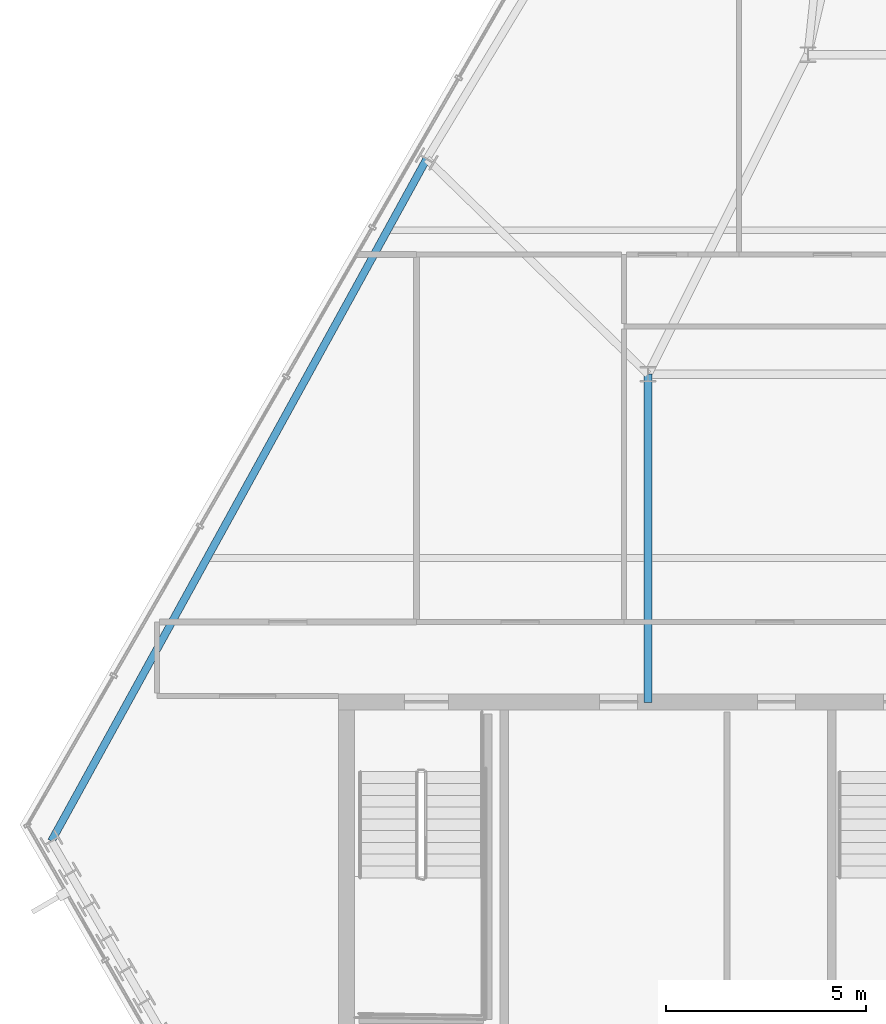
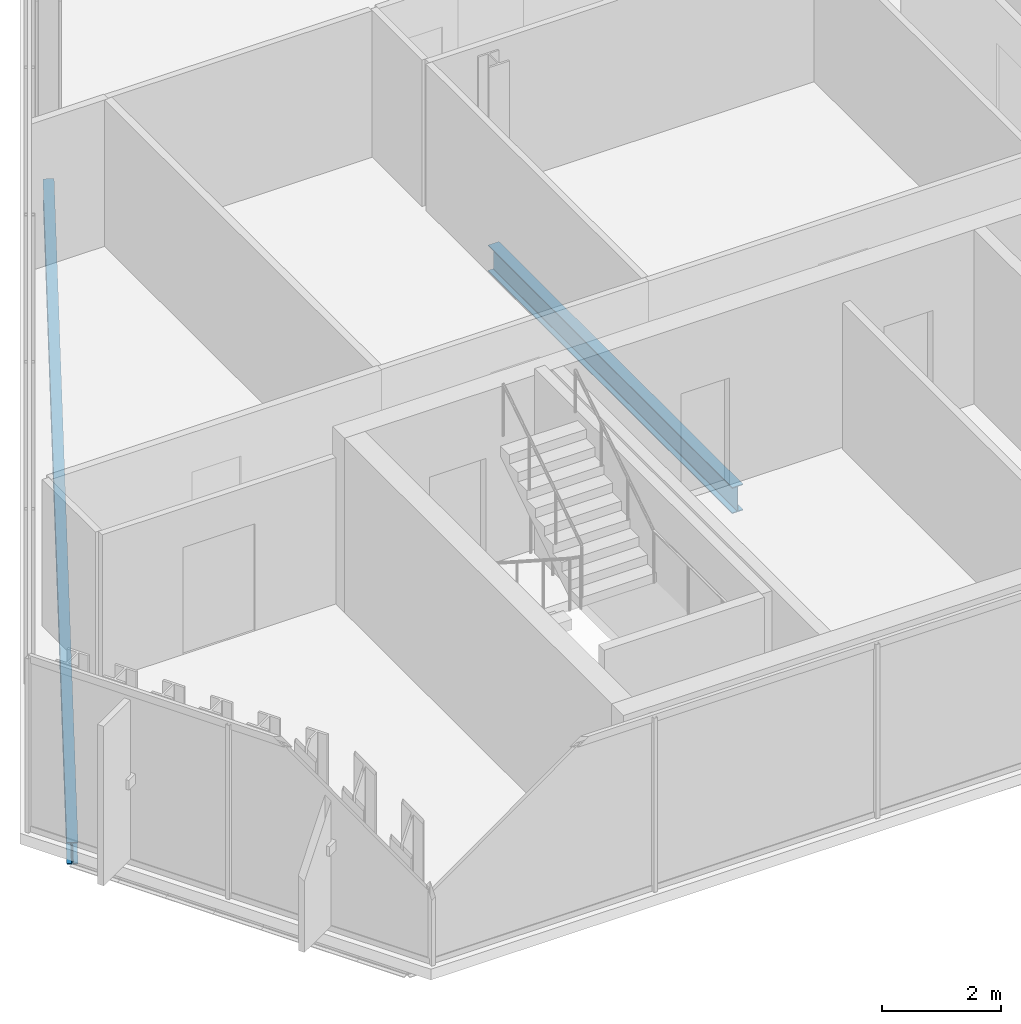
# One storey, part 5 of 30: 2 beams.
"""IFC4 building model written with IfcOpenShell, lengths in metres."""

from ifc_helpers import new_model, si_unit, direction, frame, origin, origin_2d, place, context, subcontext, project, spatial, i_section, extrude, material, material_profile, profile_set, type_object, element, save


model = new_model("IFC4")

# Units and contexts
model_context = context("Model", 3, precision=1e-05, world=origin(), true_north=direction((0.0, 1.0)))
body_context = subcontext(model_context, "Body", "Model", "MODEL_VIEW")
ifc_project = project(units=[si_unit("LENGTHUNIT", "METRE"), si_unit("AREAUNIT", "SQUARE_METRE"), si_unit("VOLUMEUNIT", "CUBIC_METRE"), si_unit("PLANEANGLEUNIT", "RADIAN"), si_unit("MASSUNIT", "GRAM", prefix="KILO")], contexts=[model_context])

# Site, building, storey
site_placement = place(None, origin())
site = spatial("IfcSite", under=ifc_project, at=site_placement, CompositionType="ELEMENT")
building_placement = place(site_placement, origin())
building = spatial("IfcBuilding", under=site, at=building_placement, Name="Ndaravel Arena Tower", CompositionType="ELEMENT")
storey_placement = place(building_placement, frame((0.0, 0.0, 221.800048828125)))
storey = spatial("IfcBuildingStorey", under=building, at=storey_placement, Name="L53", CompositionType="ELEMENT", Elevation=221.800048828125)

# Beams
ifc_material_1 = material(Name="Steel S355", Category="steel")
ifc_material_profile_1 = material_profile(ifc_material_1, i_section(OverallWidth=0.210693359375, OverallDepth=0.53955078125, WebThickness=0.01171875, FlangeThickness=0.018798828125, FilletRadius=0.0126953125, at=origin_2d()), Name="UB 533x210x109")
ifc_profile_set_1 = profile_set([ifc_material_profile_1], Name="Steel S355")
beam_type_1 = type_object("IfcBeamType", Name="BM-GIRD-UB533", PredefinedType="BEAM", material=ifc_profile_set_1)
beam_1_placement = place(storey_placement, frame((34.199951171875, 14.97998046875, -0.48974609375), z_axis=(0.0, 1.0, 0.0), x_axis=(-1.0, 0.0, 0.0)))
element("IfcBeam", 1, at=beam_1_placement, inside=storey, type_object=beam_type_1, Name="L53 Spine Link Girder SLG-01", PredefinedType="BEAM", context=body_context, shape_type="SweptSolid", body=[
    extrude(i_section(OverallWidth=0.210693359375, OverallDepth=0.53955078125, WebThickness=0.01171875, FlangeThickness=0.018798828125, FilletRadius=0.0126953125, at=origin_2d()), origin(), (0.0, 0.0, 1.0), 8.219970703125),
])
ifc_material_2 = material(Name="Steel S355", Category="steel")
ifc_material_profile_2 = material_profile(ifc_material_2, i_section(OverallWidth=0.18994140625, OverallDepth=0.449951171875, WebThickness=0.009521484375, FlangeThickness=0.0146484375, FilletRadius=0.02099609375, at=origin_2d()), Name="IPE 450")
ifc_profile_set_2 = profile_set([ifc_material_profile_2], Name="Steel S355")
beam_type_2 = type_object("IfcBeamType", Name="BM-SPAN-IPE450", PredefinedType="SPANDREL", material=ifc_profile_set_2)
beam_2_placement = place(storey_placement, frame((28.65869140625, 28.587890625, -0.445068359375), z_axis=(-0.482016386815, -0.876162201217, 0.0), x_axis=(0.876162201217, -0.482016386815, 0.0)))
element("IfcBeam", 2, at=beam_2_placement, inside=storey, type_object=beam_type_2, Name="L53 Perimeter Spandrel Beam SP-19", PredefinedType="SPANDREL", context=body_context, shape_type="SweptSolid", body=[
    extrude(i_section(OverallWidth=0.18994140625, OverallDepth=0.449951171875, WebThickness=0.009521484375, FlangeThickness=0.0146484375, FilletRadius=0.02099609375, at=origin_2d()), origin(), (0.0, 0.0, 1.0), 19.485107421875),
])

save(model, "model.ifc")
